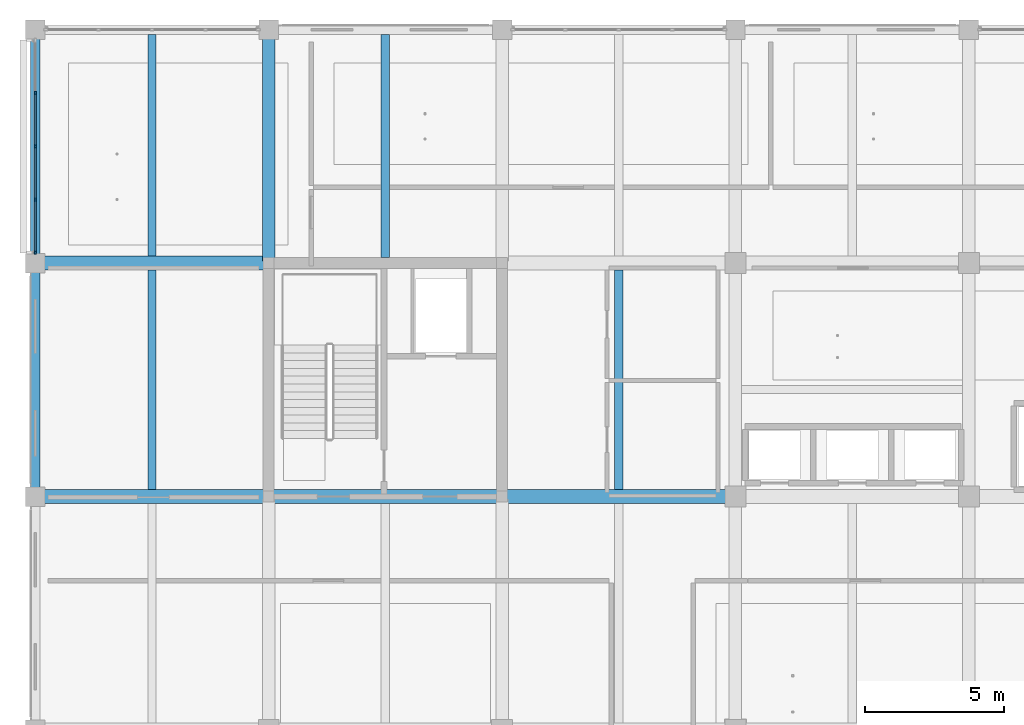
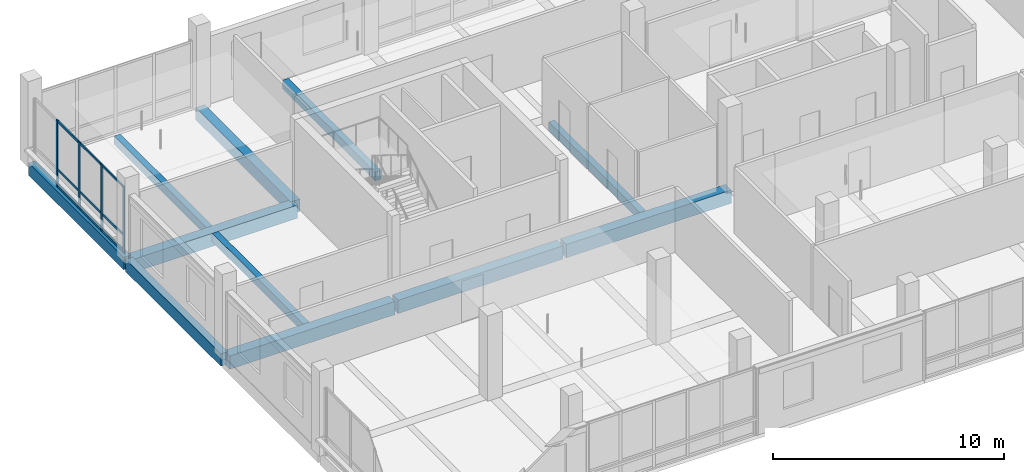
# One storey, part 4 of 35: 13 members, 11 beams, 1 element without a shape of its own.
"""IFC4 building model written with IfcOpenShell, lengths in metres."""

from ifc_helpers import new_model, si_unit, direction, frame, origin, origin_2d, place, context, subcontext, project, spatial, rectangle, extrude, material, layer, layer_set, material_profile, profile_set, type_object, element, aggregate, save


model = new_model("IFC4")

# Units and contexts
model_context = context("Model", 3, precision=1e-05, world=origin(), true_north=direction((0.0, 1.0)))
body_context = subcontext(model_context, "Body", "Model", "MODEL_VIEW")
ifc_project = project(units=[si_unit("LENGTHUNIT", "METRE"), si_unit("AREAUNIT", "SQUARE_METRE"), si_unit("VOLUMEUNIT", "CUBIC_METRE"), si_unit("PLANEANGLEUNIT", "RADIAN"), si_unit("MASSUNIT", "GRAM", prefix="KILO")], contexts=[model_context])

# Site, building, storey
site_placement = place(None, origin())
site = spatial("IfcSite", under=ifc_project, at=site_placement, CompositionType="ELEMENT")
building_placement = place(site_placement, origin())
building = spatial("IfcBuilding", under=site, at=building_placement, Name="Telukmera Botanical Conservatory", CompositionType="ELEMENT")
storey_placement = place(building_placement, frame((0.0, 0.0, 46.5)))
storey = spatial("IfcBuildingStorey", under=building, at=storey_placement, Name="L10", CompositionType="ELEMENT", Elevation=46.5)

# Beams
ifc_material_1 = material(Name="Concrete C40/50", Category="concrete")
ifc_material_profile_1 = material_profile(ifc_material_1, rectangle(XDim=0.5, YDim=0.699951171875, at=origin_2d()), Name="RC 500x700")
ifc_profile_set_1 = profile_set([ifc_material_profile_1], Name="Concrete C40/50")
beam_type_1 = type_object("IfcBeamType", Name="Beam_B14", PredefinedType="BEAM", material=ifc_profile_set_1)
beam_1_placement = place(storey_placement, frame((50.47998046875, 26.0, -0.35009765625), z_axis=(1.0, 0.0, 0.0), x_axis=(0.0, 1.0, 0.0)))
element("IfcBeam", 1, at=beam_1_placement, inside=storey, type_object=beam_type_1, Name="Tower Grid Beam L10", PredefinedType="BEAM", context=body_context, shape_type="SweptSolid", body=[
    extrude(rectangle(XDim=0.5, YDim=0.699951171875, at=origin_2d()), origin(), (0.0, 0.0, 1.0), 8.239990234375),
])
beam_2_placement = place(storey_placement, frame((58.8798828125, 26.0, -0.35009765625), z_axis=(1.0, 0.0, 0.0), x_axis=(0.0, 1.0, 0.0)))
element("IfcBeam", 2, at=beam_2_placement, inside=storey, type_object=beam_type_1, Name="Tower Grid Beam L10", PredefinedType="BEAM", context=body_context, shape_type="SweptSolid", body=[
    extrude(rectangle(XDim=0.5, YDim=0.699951171875, at=origin_2d()), origin(), (0.0, 0.0, 1.0), 8.240234375),
])
for number, where, z_axis, x_axis, name in (
    (3, (67.280029296875, 26.0, -0.35009765625), (1.0, 0.0, 0.0), (0.0, 1.0, 0.0), "Tower Grid Beam L10"),
    (4, (50.47998046875, 34.39990234375, -0.35009765625), (1.0, 0.0, 0.0), (0.0, 1.0, 0.0), "Tower Grid Beam L10"),
):
    element("IfcBeam", number, at=place(storey_placement, frame(where, z_axis=z_axis, x_axis=x_axis)), inside=storey, type_object=beam_type_1, Name=name, PredefinedType="BEAM", context=body_context, shape_type="SweptSolid", body=[
        extrude(rectangle(XDim=0.5, YDim=0.699951171875, at=origin_2d()), origin(), (0.0, 0.0, 1.0), 8.239990234375),
    ])
ifc_material_profile_2 = material_profile(ifc_material_1, rectangle(XDim=0.449951171875, YDim=0.64990234375, at=origin_2d()), Name="RC 450x650")
ifc_profile_set_2 = profile_set([ifc_material_profile_2], Name="Concrete C40/50")
beam_type_2 = type_object("IfcBeamType", Name="Beam_B16", PredefinedType="BEAM", material=ifc_profile_set_2)
beam_3_placement = place(storey_placement, frame((58.800048828125, 34.47998046875, -0.324951171875), z_axis=(0.0, 1.0, 0.0), x_axis=(-1.0, 0.0, 0.0)))
element("IfcBeam", 5, at=beam_3_placement, inside=storey, type_object=beam_type_2, Name="Tower Transverse Beam L10", PredefinedType="BEAM", context=body_context, shape_type="SweptSolid", body=[
    extrude(rectangle(XDim=0.449951171875, YDim=0.64990234375, at=origin_2d()), origin(), (0.0, 0.0, 1.0), 8.239990234375),
])
ifc_material_profile_3 = material_profile(ifc_material_1, rectangle(XDim=0.300048828125, YDim=0.449951171875, at=origin_2d()), Name="RC 300x450")
ifc_profile_set_3 = profile_set([ifc_material_profile_3], Name="Concrete C40/50")
beam_type_3 = type_object("IfcBeamType", Name="Beam_B25", PredefinedType="JOIST", material=ifc_profile_set_3)
beam_4_placement = place(storey_placement, frame((54.60009765625, 26.25, -0.22509765625), z_axis=(0.0, 1.0, 0.0), x_axis=(-1.0, 0.0, 0.0)))
element("IfcBeam", 6, at=beam_4_placement, inside=storey, type_object=beam_type_3, Name="Tower Secondary Floor Joist L10", PredefinedType="JOIST", context=body_context, shape_type="SweptSolid", body=[
    extrude(rectangle(XDim=0.300048828125, YDim=0.449951171875, at=origin_2d()), origin(), (0.0, 0.0, 1.0), 7.89990234375),
])
beam_5_placement = place(storey_placement, frame((54.60009765625, 34.64990234375, -0.22509765625), z_axis=(0.0, 1.0, 0.0), x_axis=(-1.0, 0.0, 0.0)))
element("IfcBeam", 7, at=beam_5_placement, inside=storey, type_object=beam_type_3, Name="Tower Secondary Floor Joist L10", PredefinedType="JOIST", context=body_context, shape_type="SweptSolid", body=[
    extrude(rectangle(XDim=0.300048828125, YDim=0.449951171875, at=origin_2d()), origin(), (0.0, 0.0, 1.0), 7.97509765625),
])
beam_6_placement = place(storey_placement, frame((63.0, 34.60009765625, -0.22509765625), z_axis=(0.0, 1.0, 0.0), x_axis=(-1.0, 0.0, 0.0)))
element("IfcBeam", 8, at=beam_6_placement, inside=storey, type_object=beam_type_3, Name="Tower Secondary Floor Joist L10", PredefinedType="JOIST", context=body_context, shape_type="SweptSolid", body=[
    extrude(rectangle(XDim=0.300048828125, YDim=0.449951171875, at=origin_2d()), origin(), (0.0, 0.0, 1.0), 8.02490234375),
])
beam_7_placement = place(storey_placement, frame((71.39990234375, 26.25, -0.22509765625), z_axis=(0.0, 1.0, 0.0), x_axis=(-1.0, 0.0, 0.0)))
element("IfcBeam", 9, at=beam_7_placement, inside=storey, type_object=beam_type_3, Name="Tower Secondary Floor Joist L10", PredefinedType="JOIST", context=body_context, shape_type="SweptSolid", body=[
    extrude(rectangle(XDim=0.300048828125, YDim=0.449951171875, at=origin_2d()), origin(), (0.0, 0.0, 1.0), 7.89990234375),
])
ifc_material_2 = material(Name="Precast concrete C40/50", Category="concrete")
ifc_material_profile_4 = material_profile(ifc_material_2, rectangle(XDim=0.35009765625, YDim=0.64990234375, at=origin_2d()), Name="PC 350x650")
ifc_profile_set_4 = profile_set([ifc_material_profile_4], Name="Precast concrete C40/50")
beam_type_4 = type_object("IfcBeamType", Name="Beam_SP3", PredefinedType="SPANDREL", material=ifc_profile_set_4)
for number, where, z_axis, x_axis, name in (
    (10, (50.39990234375, 26.080078125, -0.324951171875), (0.0, 1.0, 0.0), (-1.0, 0.0, 0.0), "Tower Transverse Beam L10"),
    (11, (50.39990234375, 34.47998046875, -0.324951171875), (0.0, 1.0, 0.0), (-1.0, 0.0, 0.0), "Tower Transverse Beam L10"),
):
    element("IfcBeam", number, at=place(storey_placement, frame(where, z_axis=z_axis, x_axis=x_axis)), inside=storey, type_object=beam_type_4, Name=name, PredefinedType="SPANDREL", context=body_context, shape_type="SweptSolid", body=[
        extrude(rectangle(XDim=0.35009765625, YDim=0.64990234375, at=origin_2d()), origin(), (0.0, 0.0, 1.0), 8.239990234375),
    ])

# Curtain wall, members
ifc_material_3 = material(Name="Anodised aluminium 6063-T6", Category="aluminium")
ifc_layer = layer(ifc_material_3, 0.179931640625)
ifc_layer_set = layer_set([ifc_layer], Name="Anodised aluminium 6063-T6")
curtain_wall_type = type_object("IfcCurtainWallType", Name="Tower Research Laboratory Unitised Curtain Wall", PredefinedType="USERDEFINED", material=ifc_layer_set)
curtain_wall_placement = place(storey_placement, origin())
curtain_wall = element("IfcCurtainWall", 12, at=curtain_wall_placement, inside=storey, type_object=curtain_wall_type, Name="Unitised Curtain Wall CW15 V4:L10:W4", ObjectType="UNITISED CURTAIN WALL", PredefinedType="USERDEFINED")
ifc_material_profile_5 = material_profile(ifc_material_3, rectangle(XDim=0.06005859375, YDim=0.139892578125, at=origin_2d()), Name="ALU MULL 60x140")
ifc_profile_set_5 = profile_set([ifc_material_profile_5], Name="Anodised aluminium 6063-T6")
member_type_1 = type_object("IfcMemberType", Name="Curtain Wall Extruded Mullion 60x140", PredefinedType="MULLION", material=ifc_profile_set_5)
member_1_placement = place(storey_placement, frame((50.39990234375, 34.781982421875, 0.0), z_axis=(0.0, 0.0, 1.0), x_axis=(-1.0, 0.0, 0.0)))
member_1 = element("IfcMember", 13, at=member_1_placement, type_object=member_type_1, Name="CW15 mullion 1", PredefinedType="MULLION", context=body_context, shape_type="SweptSolid", body=[
    extrude(rectangle(XDim=0.06005859375, YDim=0.139892578125, at=origin_2d()), origin(), (0.0, 0.0, 1.0), 3.550048828125),
])
member_2_placement = place(storey_placement, frame((50.39990234375, 36.676025390625, 0.0), z_axis=(0.0, 0.0, 1.0), x_axis=(-1.0, 0.0, 0.0)))
member_2 = element("IfcMember", 14, at=member_2_placement, type_object=member_type_1, Name="CW15 mullion 2", PredefinedType="MULLION", context=body_context, shape_type="SweptSolid", body=[
    extrude(rectangle(XDim=0.06005859375, YDim=0.139892578125, at=origin_2d()), origin(), (0.0, 0.0, 1.0), 3.550048828125),
])
member_3_placement = place(storey_placement, frame((50.39990234375, 38.60009765625, 0.0), z_axis=(0.0, 0.0, 1.0), x_axis=(-1.0, 0.0, 0.0)))
member_3 = element("IfcMember", 15, at=member_3_placement, type_object=member_type_1, Name="CW15 mullion 3", PredefinedType="MULLION", context=body_context, shape_type="SweptSolid", body=[
    extrude(rectangle(XDim=0.06005859375, YDim=0.139892578125, at=origin_2d()), origin(), (0.0, 0.0, 1.0), 3.550048828125),
])
member_4_placement = place(storey_placement, frame((50.39990234375, 40.52392578125, 0.0), z_axis=(0.0, 0.0, 1.0), x_axis=(-1.0, 0.0, 0.0)))
member_4 = element("IfcMember", 16, at=member_4_placement, type_object=member_type_1, Name="CW15 mullion 4", PredefinedType="MULLION", context=body_context, shape_type="SweptSolid", body=[
    extrude(rectangle(XDim=0.06005859375, YDim=0.139892578125, at=origin_2d()), origin(), (0.0, 0.0, 1.0), 3.550048828125),
])
ifc_material_profile_6 = material_profile(ifc_material_3, rectangle(XDim=0.06005859375, YDim=0.110107421875, at=origin_2d()), Name="ALU TRAN 60x110")
ifc_profile_set_6 = profile_set([ifc_material_profile_6], Name="Anodised aluminium 6063-T6")
member_type_2 = type_object("IfcMemberType", Name="Curtain Wall Extruded Transom 60x110", PredefinedType="USERDEFINED", material=ifc_profile_set_6)
member_5_placement = place(storey_placement, frame((50.39990234375, 34.81201171875, 0.054931640625), z_axis=(0.0, 1.0, 0.0), x_axis=(-1.0, 0.0, 0.0)))
member_5 = element("IfcMember", 17, at=member_5_placement, type_object=member_type_2, Name="CW15 transom 1.1", ObjectType="TRANSOM", PredefinedType="USERDEFINED", context=body_context, shape_type="SweptSolid", body=[
    extrude(rectangle(XDim=0.06005859375, YDim=0.110107421875, at=origin_2d()), origin(), (0.0, 0.0, 1.0), 1.833984375),
])
member_6_placement = place(storey_placement, frame((50.39990234375, 34.81201171875, 0.949951171875), z_axis=(0.0, 1.0, 0.0), x_axis=(-1.0, 0.0, 0.0)))
member_6 = element("IfcMember", 18, at=member_6_placement, type_object=member_type_2, Name="CW15 transom 1.2", ObjectType="TRANSOM", PredefinedType="USERDEFINED", context=body_context, shape_type="SweptSolid", body=[
    extrude(rectangle(XDim=0.06005859375, YDim=0.110107421875, at=origin_2d()), origin(), (0.0, 0.0, 1.0), 1.833984375),
])
member_7_placement = place(storey_placement, frame((50.39990234375, 34.81201171875, 3.4951171875), z_axis=(0.0, 1.0, 0.0), x_axis=(-1.0, 0.0, 0.0)))
member_7 = element("IfcMember", 19, at=member_7_placement, type_object=member_type_2, Name="CW15 transom 1.3", ObjectType="TRANSOM", PredefinedType="USERDEFINED", context=body_context, shape_type="SweptSolid", body=[
    extrude(rectangle(XDim=0.06005859375, YDim=0.110107421875, at=origin_2d()), origin(), (0.0, 0.0, 1.0), 1.833984375),
])
member_8_placement = place(storey_placement, frame((50.39990234375, 36.7060546875, 0.054931640625), z_axis=(0.0, 1.0, 0.0), x_axis=(-1.0, 0.0, 0.0)))
member_8 = element("IfcMember", 20, at=member_8_placement, type_object=member_type_2, Name="CW15 transom 2.1", ObjectType="TRANSOM", PredefinedType="USERDEFINED", context=body_context, shape_type="SweptSolid", body=[
    extrude(rectangle(XDim=0.06005859375, YDim=0.110107421875, at=origin_2d()), origin(), (0.0, 0.0, 1.0), 1.864013671875),
])
member_9_placement = place(storey_placement, frame((50.39990234375, 36.7060546875, 0.949951171875), z_axis=(0.0, 1.0, 0.0), x_axis=(-1.0, 0.0, 0.0)))
member_9 = element("IfcMember", 21, at=member_9_placement, type_object=member_type_2, Name="CW15 transom 2.2", ObjectType="TRANSOM", PredefinedType="USERDEFINED", context=body_context, shape_type="SweptSolid", body=[
    extrude(rectangle(XDim=0.06005859375, YDim=0.110107421875, at=origin_2d()), origin(), (0.0, 0.0, 1.0), 1.864013671875),
])
member_10_placement = place(storey_placement, frame((50.39990234375, 36.7060546875, 3.4951171875), z_axis=(0.0, 1.0, 0.0), x_axis=(-1.0, 0.0, 0.0)))
member_10 = element("IfcMember", 22, at=member_10_placement, type_object=member_type_2, Name="CW15 transom 2.3", ObjectType="TRANSOM", PredefinedType="USERDEFINED", context=body_context, shape_type="SweptSolid", body=[
    extrude(rectangle(XDim=0.06005859375, YDim=0.110107421875, at=origin_2d()), origin(), (0.0, 0.0, 1.0), 1.864013671875),
])
member_11_placement = place(storey_placement, frame((50.39990234375, 38.6298828125, 0.054931640625), z_axis=(0.0, 1.0, 0.0), x_axis=(-1.0, 0.0, 0.0)))
member_11 = element("IfcMember", 23, at=member_11_placement, type_object=member_type_2, Name="CW15 transom 3.1", ObjectType="TRANSOM", PredefinedType="USERDEFINED", context=body_context, shape_type="SweptSolid", body=[
    extrude(rectangle(XDim=0.06005859375, YDim=0.110107421875, at=origin_2d()), origin(), (0.0, 0.0, 1.0), 1.864013671875),
])
member_12_placement = place(storey_placement, frame((50.39990234375, 38.6298828125, 0.949951171875), z_axis=(0.0, 1.0, 0.0), x_axis=(-1.0, 0.0, 0.0)))
member_12 = element("IfcMember", 24, at=member_12_placement, type_object=member_type_2, Name="CW15 transom 3.2", ObjectType="TRANSOM", PredefinedType="USERDEFINED", context=body_context, shape_type="SweptSolid", body=[
    extrude(rectangle(XDim=0.06005859375, YDim=0.110107421875, at=origin_2d()), origin(), (0.0, 0.0, 1.0), 1.864013671875),
])
member_13_placement = place(storey_placement, frame((50.39990234375, 38.6298828125, 3.4951171875), z_axis=(0.0, 1.0, 0.0), x_axis=(-1.0, 0.0, 0.0)))
member_13 = element("IfcMember", 25, at=member_13_placement, type_object=member_type_2, Name="CW15 transom 3.3", ObjectType="TRANSOM", PredefinedType="USERDEFINED", context=body_context, shape_type="SweptSolid", body=[
    extrude(rectangle(XDim=0.06005859375, YDim=0.110107421875, at=origin_2d()), origin(), (0.0, 0.0, 1.0), 1.864013671875),
])
aggregate(curtain_wall, [member_1, member_2, member_3, member_4, member_5, member_6, member_7, member_8, member_9, member_10, member_11, member_12, member_13])

save(model, "model.ifc")
